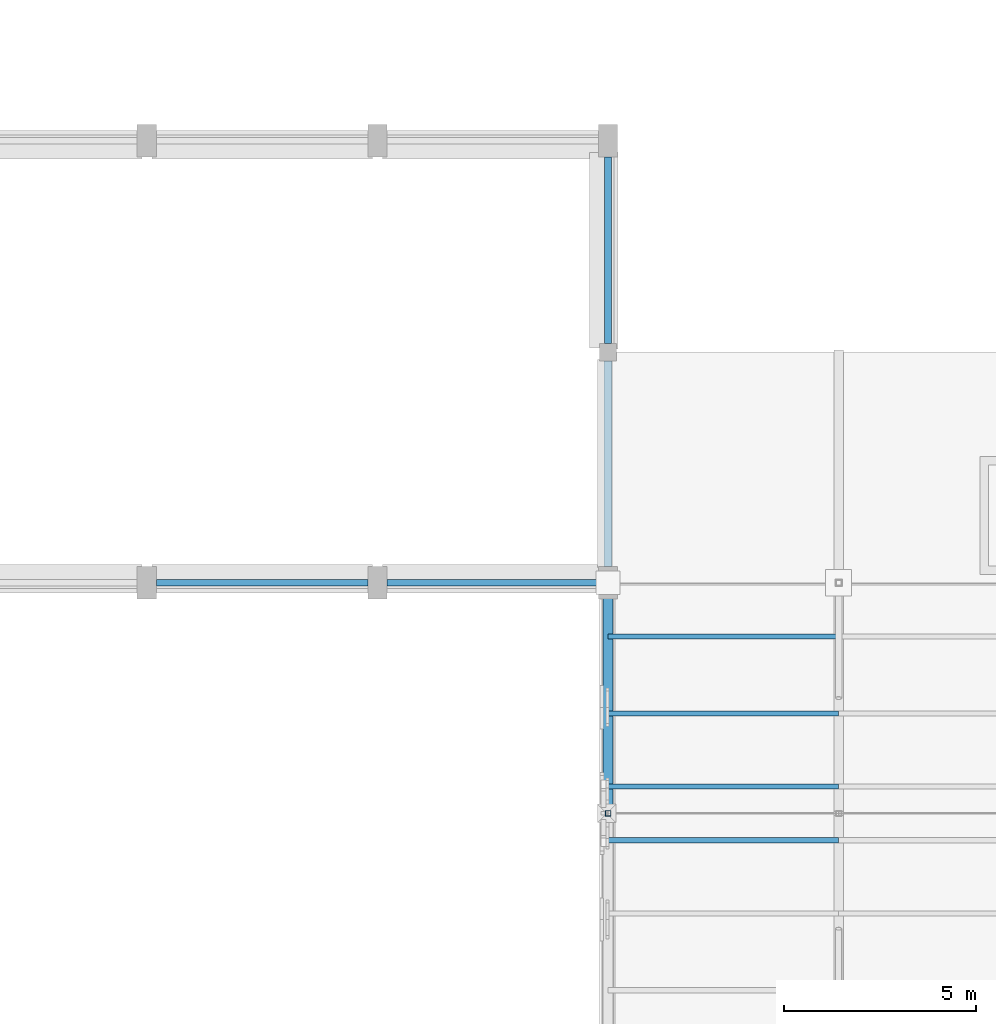
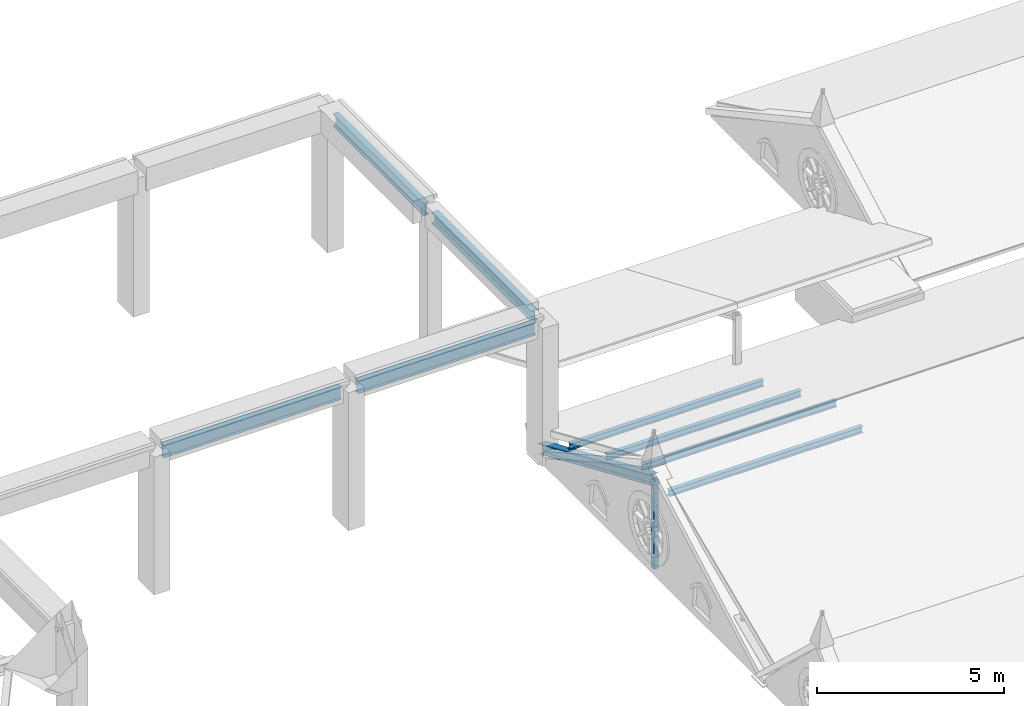
# One storey, part 26 of 59: 6 members, 4 beams.
"""IFC4 building model written with IfcOpenShell, lengths in metres."""

from ifc_helpers import new_model, si_unit, direction, frame, origin, origin_2d, place, context, subcontext, project, spatial, hollow_rectangle, i_section, extrude, material, material_profile, profile_set, type_object, element, save


model = new_model("IFC4")

# Units and contexts
model_context = context("Model", 3, precision=1e-05, world=origin(), true_north=direction((0.0, 1.0)))
body_context = subcontext(model_context, "Body", "Model", "MODEL_VIEW")
ifc_project = project(units=[si_unit("LENGTHUNIT", "METRE"), si_unit("AREAUNIT", "SQUARE_METRE"), si_unit("VOLUMEUNIT", "CUBIC_METRE"), si_unit("PLANEANGLEUNIT", "RADIAN"), si_unit("MASSUNIT", "GRAM", prefix="KILO")], contexts=[model_context])

# Site, building, storey
site_placement = place(None, origin())
site = spatial("IfcSite", under=ifc_project, at=site_placement, CompositionType="ELEMENT")
building_placement = place(site_placement, origin())
building = spatial("IfcBuilding", under=site, at=building_placement, Name="Cumevento Cable Car Station", CompositionType="ELEMENT")
storey_placement = place(building_placement, frame((0.0, 0.0, 18.0)))
storey = spatial("IfcBuildingStorey", under=building, at=storey_placement, Name="L05", CompositionType="ELEMENT", Elevation=18.0)

# Members
ifc_material_1 = material(Name="Steel ASTM A572 Grade 50", Category="steel")
ifc_material_profile_1 = material_profile(ifc_material_1, i_section(OverallWidth=0.25390625, OverallDepth=0.305908203125, WebThickness=0.0087890625, FlangeThickness=0.0146484375, at=origin_2d()), Name="W310x79.0")
ifc_profile_set_1 = profile_set([ifc_material_profile_1], Name="Steel ASTM A572 Grade 50")
member_type_1 = type_object("IfcMemberType", Name="Framing Chord TC-03 W310x79.0", PredefinedType="CHORD", material=ifc_profile_set_1)
member_1_placement = place(storey_placement, frame((118.0, 39.0, 2.888916015625), z_axis=(0.0, 0.917059377477, -0.398750671701), x_axis=(-1.0, 0.0, 0.0)))
element("IfcMember", 1, at=member_1_placement, inside=storey, type_object=member_type_1, Name="Cabin Garage Truss Top Chord #339", PredefinedType="CHORD", context=body_context, shape_type="SweptSolid", body=[
    extrude(i_section(OverallWidth=0.25390625, OverallDepth=0.305908203125, WebThickness=0.0087890625, FlangeThickness=0.0146484375, at=origin_2d()), origin(), (0.0, 0.0, 1.0), 6.542724609375),
])
ifc_material_2 = material(Name="Steel ASTM A572 Grade 50", Category="steel")
ifc_material_profile_2 = material_profile(ifc_material_2, hollow_rectangle(XDim=0.14990234375, YDim=0.14990234375, WallThickness=0.010009765625, at=origin_2d()), Name="HSS150x150x10.0")
ifc_profile_set_2 = profile_set([ifc_material_profile_2], Name="Steel ASTM A572 Grade 50")
member_type_2 = type_object("IfcMemberType", Name="Framing Post TD-04 HSS150x150x10.0", PredefinedType="POST", material=ifc_profile_set_2)
member_2_placement = place(storey_placement, frame((118.0, 39.0, 0.0), z_axis=(0.0, 0.0, 1.0), x_axis=(1.0, 0.0, 0.0)))
element("IfcMember", 2, at=member_2_placement, inside=storey, type_object=member_type_2, Name="Cabin Garage Gable Ridge Post #337", PredefinedType="POST", context=body_context, shape_type="SweptSolid", body=[
    extrude(hollow_rectangle(XDim=0.14990234375, YDim=0.14990234375, WallThickness=0.010009765625, at=origin_2d()), origin(), (0.0, 0.0, 1.0), 2.888916015625),
])
ifc_material_3 = material(Name="Steel ASTM A572 Grade 50", Category="steel")
ifc_material_profile_3 = material_profile(ifc_material_3, i_section(OverallWidth=0.133056640625, OverallDepth=0.20703125, WebThickness=0.005859375, FlangeThickness=0.00830078125, at=origin_2d()), Name="W200x26.6")
ifc_profile_set_3 = profile_set([ifc_material_profile_3], Name="Steel ASTM A572 Grade 50")
member_type_3 = type_object("IfcMemberType", Name="Framing Purlin PR-02 W200x26.6", PredefinedType="PURLIN", material=ifc_profile_set_3)
for number, where, z_axis, x_axis, name in (
    (3, (118.0, 38.300048828125, 2.865234375), (1.0, 0.0, 0.0), (0.0, 1.0, 0.0), "Cabin Garage Purlin #399"),
    (4, (118.0, 39.699951171875, 2.865234375), (1.0, 0.0, 0.0), (0.0, 1.0, 0.0), "Cabin Garage Purlin #400"),
    (5, (118.0, 41.60009765625, 2.039306640625), (1.0, 0.0, 0.0), (0.0, 1.0, 0.0), "Cabin Garage Purlin #401"),
    (6, (118.0, 43.60009765625, 1.169677734375), (1.0, 0.0, 0.0), (0.0, 1.0, 0.0), "Cabin Garage Purlin #402"),
):
    element("IfcMember", number, at=place(storey_placement, frame(where, z_axis=z_axis, x_axis=x_axis)), inside=storey, type_object=member_type_3, Name=name, PredefinedType="PURLIN", context=body_context, shape_type="SweptSolid", body=[
        extrude(i_section(OverallWidth=0.133056640625, OverallDepth=0.20703125, WebThickness=0.005859375, FlangeThickness=0.00830078125, at=origin_2d()), origin(), (0.0, 0.0, 1.0), 6.0),
    ])

# Beams
ifc_material_4 = material(Name="Steel ASTM A572 Grade 50", Category="steel")
ifc_material_profile_4 = material_profile(ifc_material_4, i_section(OverallWidth=0.205078125, OverallDepth=0.35400390625, WebThickness=0.009521484375, FlangeThickness=0.016845703125, at=origin_2d()), Name="W360x79.0")
ifc_profile_set_4 = profile_set([ifc_material_profile_4], Name="Steel ASTM A572 Grade 50")
beam_type_1 = type_object("IfcBeamType", Name="Structural Beam BM-05 W360x79.0", PredefinedType="BEAM", material=ifc_profile_set_4)
beam_1_placement = place(storey_placement, frame((118.0, 45.425048828125, 4.322998046875), z_axis=(0.0, 1.0, 0.0), x_axis=(-1.0, 0.0, 0.0)))
element("IfcBeam", 7, at=beam_1_placement, inside=storey, type_object=beam_type_1, Name="Beam BM-05 L05 #1629", PredefinedType="BEAM", context=body_context, shape_type="SweptSolid", body=[
    extrude(i_section(OverallWidth=0.205078125, OverallDepth=0.35400390625, WebThickness=0.009521484375, FlangeThickness=0.016845703125, at=origin_2d()), origin(), (0.0, 0.0, 1.0), 5.349853515625),
])
ifc_material_5 = material(Name="Steel ASTM A572 Grade 50", Category="steel")
ifc_material_profile_5 = material_profile(ifc_material_5, i_section(OverallWidth=0.177978515625, OverallDepth=0.406982421875, WebThickness=0.0078125, FlangeThickness=0.0126953125, at=origin_2d()), Name="W410x60.0")
ifc_profile_set_5 = profile_set([ifc_material_profile_5], Name="Steel ASTM A572 Grade 50")
beam_type_2 = type_object("IfcBeamType", Name="Structural Spandrel SP-01 W410x60.0", PredefinedType="SPANDREL", material=ifc_profile_set_5)
for number, where, z_axis, x_axis, name in (
    (8, (106.25, 45.0, 4.29638671875), (1.0, 0.0, 0.0), (0.0, 1.0, 0.0), "Beam SP-01 L05 #1624"),
    (9, (112.25, 45.0, 4.29638671875), (1.0, 0.0, 0.0), (0.0, 1.0, 0.0), "Beam SP-01 L05 #1625"),
):
    element("IfcBeam", number, at=place(storey_placement, frame(where, z_axis=z_axis, x_axis=x_axis)), inside=storey, type_object=beam_type_2, Name=name, PredefinedType="SPANDREL", context=body_context, shape_type="SweptSolid", body=[
        extrude(i_section(OverallWidth=0.177978515625, OverallDepth=0.406982421875, WebThickness=0.0078125, FlangeThickness=0.0126953125, at=origin_2d()), origin(), (0.0, 0.0, 1.0), 5.5),
    ])
beam_2_placement = place(storey_placement, frame((118.0, 51.22509765625, 4.29638671875), z_axis=(0.0, 1.0, 0.0), x_axis=(-1.0, 0.0, 0.0)))
element("IfcBeam", 10, at=beam_2_placement, inside=storey, type_object=beam_type_2, Name="Beam SP-01 L05 #1630", PredefinedType="SPANDREL", context=body_context, shape_type="SweptSolid", body=[
    extrude(i_section(OverallWidth=0.177978515625, OverallDepth=0.406982421875, WebThickness=0.0078125, FlangeThickness=0.0126953125, at=origin_2d()), origin(), (0.0, 0.0, 1.0), 4.849853515625),
])

save(model, "model.ifc")
